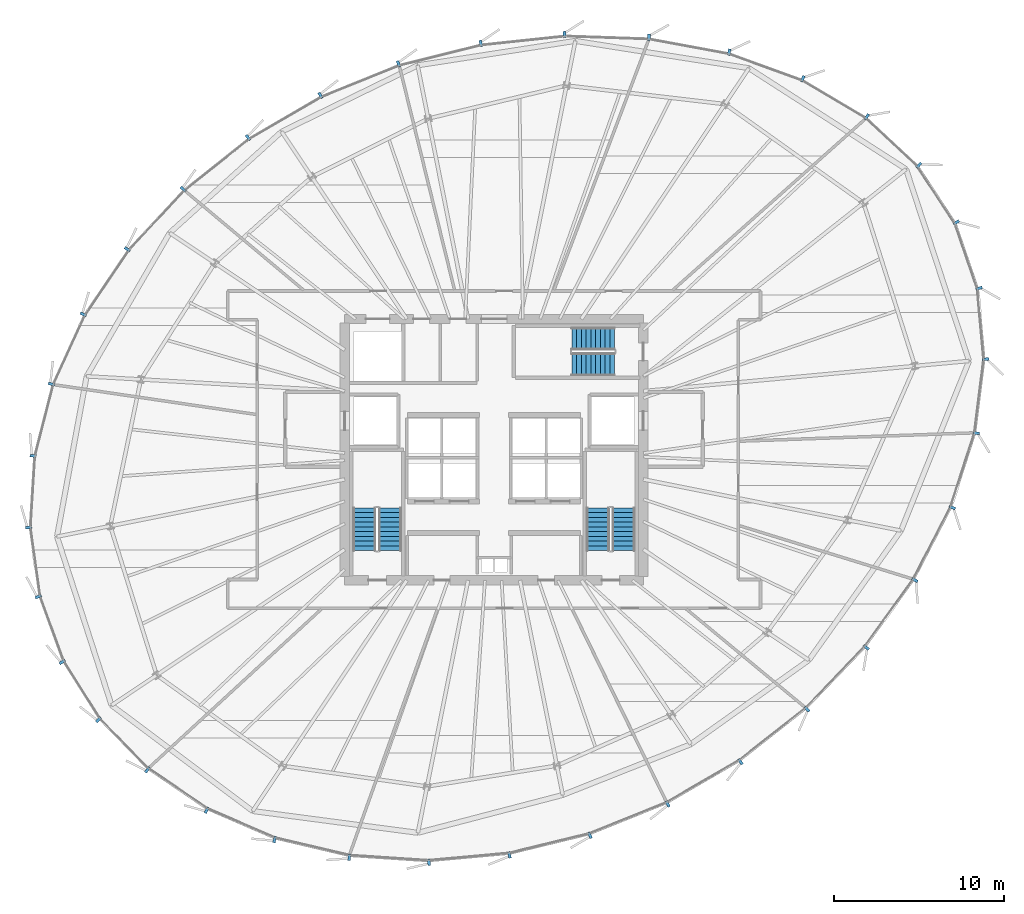
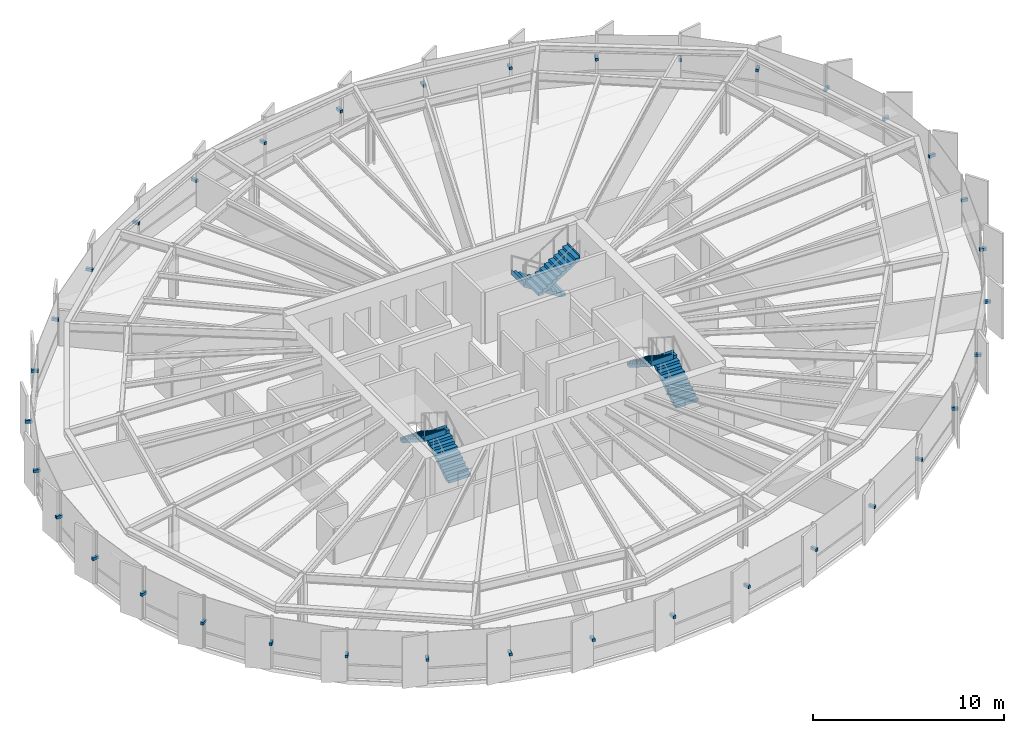
# One storey, part 31 of 35: 36 discrete accessories, 6 stair flights, 3 elements without a shape of their own.
"""IFC4 building model written with IfcOpenShell, lengths in metres."""

from ifc_helpers import new_model, si_unit, direction, frame, origin, origin_2d, place, context, subcontext, project, spatial, polyline, rectangle, outline, extrude, source, transform, mapped, material, type_object, element, aggregate, save


model = new_model("IFC4")

# Units and contexts
model_context = context("Model", 3, precision=1e-05, world=origin(), true_north=direction((0.0, 1.0)))
body_context = subcontext(model_context, "Body", "Model", "MODEL_VIEW")
ifc_project = project(units=[si_unit("LENGTHUNIT", "METRE"), si_unit("AREAUNIT", "SQUARE_METRE"), si_unit("VOLUMEUNIT", "CUBIC_METRE"), si_unit("PLANEANGLEUNIT", "RADIAN"), si_unit("MASSUNIT", "GRAM", prefix="KILO"), si_unit("THERMODYNAMICTEMPERATUREUNIT", "KELVIN")], contexts=[model_context])

# Site, building, storey
site_placement = place(None, origin())
site = spatial("IfcSite", under=ifc_project, at=site_placement, CompositionType="ELEMENT")
building_placement = place(site_placement, origin())
building = spatial("IfcBuilding", under=site, at=building_placement, Name="Kethvar Cultural Tower", CompositionType="ELEMENT")
storey_placement = place(building_placement, frame((0.0, 0.0, 139.449951171875)))
storey = spatial("IfcBuildingStorey", under=building, at=storey_placement, Name="L35", CompositionType="ELEMENT", Elevation=139.449951171875)

# Stair, stair flights
ifc_material_1 = material(Name="Concrete C40/50", Category="concrete")
stair_type = type_object("IfcStairType", Name="ST-DOGLEG-135", PredefinedType="HALF_TURN_STAIR", material=ifc_material_1)
stair_1_placement = place(storey_placement, origin())
stair_1 = element("IfcStair", 1, at=stair_1_placement, inside=storey, type_object=stair_type, Name="L35 Core Exit Stair 1", PredefinedType="HALF_TURN_STAIR")
stair_flight_type = type_object("IfcStairFlightType", Name="FL-STRAIGHT-135", PredefinedType="STRAIGHT", material=ifc_material_1)
stair_flight_1_placement = place(storey_placement, frame((40.675048828125, 21.85009765625, 0.0), z_axis=(0.0, 0.0, 1.0), x_axis=(0.0, 1.0, 0.0)))
stair_flight_1 = element("IfcStairFlight", 2, at=stair_flight_1_placement, type_object=stair_flight_type, Name="ST-01 flight 1", NumberOfRisers=10, NumberOfTreads=9, PredefinedType="STRAIGHT", RiserHeight=0.1775, TreadLength=0.28, context=body_context, shape_type="SweptSolid", body=[
    extrude(outline(polyline([(-0.0009765625, -0.0009765625), (-0.0009765625, 0.177490234375), (0.280029296875, 0.177490234375), (0.280029296875, 0.35498046875), (0.56005859375, 0.35498046875), (0.56005859375, 0.532470703125), (0.840087890625, 0.532470703125), (0.840087890625, 0.7099609375), (1.1201171875, 0.7099609375), (1.1201171875, 0.887451171875), (1.39990234375, 0.887451171875), (1.39990234375, 1.06494140625), (1.679931640625, 1.06494140625), (1.679931640625, 1.242431640625), (1.9599609375, 1.242431640625), (1.9599609375, 1.419921875), (2.239990234375, 1.419921875), (2.239990234375, 1.597412109375), (2.52001953125, 1.597412109375), (2.52001953125, 1.77490234375), (2.52099609375, 1.77490234375), (2.52099609375, 1.419921875), (0.280029296875, 0.0), (0.0, -0.0009765625), (-0.0009765625, -0.0009765625)])), frame((0.0, 0.675048828125, 0.0), z_axis=(0.0, -1.0, 0.0), x_axis=(1.0, 0.0, 0.0)), (0.0, 0.0, 1.0), 1.35009765625),
])
stair_flight_2_placement = place(storey_placement, frame((39.1650390625, 24.3701171875, 1.775146484375), z_axis=(0.0, 0.0, 1.0), x_axis=(0.0, -1.0, 0.0)))
stair_flight_2 = element("IfcStairFlight", 3, at=stair_flight_2_placement, type_object=stair_flight_type, Name="ST-01 flight 2", NumberOfRisers=10, NumberOfTreads=9, PredefinedType="STRAIGHT", RiserHeight=0.1775, TreadLength=0.28, context=body_context, shape_type="SweptSolid", body=[
    extrude(outline(polyline([(-0.0009765625, -0.0009765625), (-0.0009765625, 0.177490234375), (0.280029296875, 0.177490234375), (0.280029296875, 0.35498046875), (0.56005859375, 0.35498046875), (0.56005859375, 0.532470703125), (0.840087890625, 0.532470703125), (0.840087890625, 0.7099609375), (1.1201171875, 0.7099609375), (1.1201171875, 0.887451171875), (1.39990234375, 0.887451171875), (1.39990234375, 1.06494140625), (1.679931640625, 1.06494140625), (1.679931640625, 1.242431640625), (1.9599609375, 1.242431640625), (1.9599609375, 1.419921875), (2.239990234375, 1.419921875), (2.239990234375, 1.597412109375), (2.52001953125, 1.597412109375), (2.52001953125, 1.77490234375), (2.52099609375, 1.77490234375), (2.52099609375, 1.419921875), (0.280029296875, 0.0), (0.0, -0.0009765625), (-0.0009765625, -0.0009765625)])), frame((0.0, 0.675048828125, 0.0), z_axis=(0.0, -1.0, 0.0), x_axis=(1.0, 0.0, 0.0)), (0.0, 0.0, 1.0), 1.35009765625),
])
aggregate(stair_1, [stair_flight_1, stair_flight_2])

stair_2_placement = place(storey_placement, origin())
stair_2 = element("IfcStair", 4, at=stair_2_placement, inside=storey, type_object=stair_type, Name="L35 Core Exit Stair 2", PredefinedType="HALF_TURN_STAIR")
stair_flight_3_placement = place(storey_placement, frame((54.43505859375, 21.85009765625, 0.0), z_axis=(0.0, 0.0, 1.0), x_axis=(0.0, 1.0, 0.0)))
stair_flight_3 = element("IfcStairFlight", 5, at=stair_flight_3_placement, type_object=stair_flight_type, Name="ST-02 flight 1", NumberOfRisers=10, NumberOfTreads=9, PredefinedType="STRAIGHT", RiserHeight=0.1775, TreadLength=0.28, context=body_context, shape_type="SweptSolid", body=[
    extrude(outline(polyline([(-0.0009765625, -0.0009765625), (-0.0009765625, 0.177490234375), (0.280029296875, 0.177490234375), (0.280029296875, 0.35498046875), (0.56005859375, 0.35498046875), (0.56005859375, 0.532470703125), (0.840087890625, 0.532470703125), (0.840087890625, 0.7099609375), (1.1201171875, 0.7099609375), (1.1201171875, 0.887451171875), (1.39990234375, 0.887451171875), (1.39990234375, 1.06494140625), (1.679931640625, 1.06494140625), (1.679931640625, 1.242431640625), (1.9599609375, 1.242431640625), (1.9599609375, 1.419921875), (2.239990234375, 1.419921875), (2.239990234375, 1.597412109375), (2.52001953125, 1.597412109375), (2.52001953125, 1.77490234375), (2.52099609375, 1.77490234375), (2.52099609375, 1.419921875), (0.280029296875, 0.0), (0.0, -0.0009765625), (-0.0009765625, -0.0009765625)])), frame((0.0, 0.675048828125, 0.0), z_axis=(0.0, -1.0, 0.0), x_axis=(1.0, 0.0, 0.0)), (0.0, 0.0, 1.0), 1.35009765625),
])
stair_flight_4_placement = place(storey_placement, frame((52.925048828125, 24.3701171875, 1.775146484375), z_axis=(0.0, 0.0, 1.0), x_axis=(0.0, -1.0, 0.0)))
stair_flight_4 = element("IfcStairFlight", 6, at=stair_flight_4_placement, type_object=stair_flight_type, Name="ST-02 flight 2", NumberOfRisers=10, NumberOfTreads=9, PredefinedType="STRAIGHT", RiserHeight=0.1775, TreadLength=0.28, context=body_context, shape_type="SweptSolid", body=[
    extrude(outline(polyline([(-0.0009765625, -0.0009765625), (-0.0009765625, 0.177490234375), (0.280029296875, 0.177490234375), (0.280029296875, 0.35498046875), (0.56005859375, 0.35498046875), (0.56005859375, 0.532470703125), (0.840087890625, 0.532470703125), (0.840087890625, 0.7099609375), (1.1201171875, 0.7099609375), (1.1201171875, 0.887451171875), (1.39990234375, 0.887451171875), (1.39990234375, 1.06494140625), (1.679931640625, 1.06494140625), (1.679931640625, 1.242431640625), (1.9599609375, 1.242431640625), (1.9599609375, 1.419921875), (2.239990234375, 1.419921875), (2.239990234375, 1.597412109375), (2.52001953125, 1.597412109375), (2.52001953125, 1.77490234375), (2.52099609375, 1.77490234375), (2.52099609375, 1.419921875), (0.280029296875, 0.0), (0.0, -0.0009765625), (-0.0009765625, -0.0009765625)])), frame((0.0, 0.675048828125, 0.0), z_axis=(0.0, -1.0, 0.0), x_axis=(1.0, 0.0, 0.0)), (0.0, 0.0, 1.0), 1.35009765625),
])
aggregate(stair_2, [stair_flight_3, stair_flight_4])

stair_3_placement = place(storey_placement, origin())
stair_3 = element("IfcStair", 7, at=stair_3_placement, inside=storey, type_object=stair_type, Name="L35 Core Exit Stair 3", PredefinedType="HALF_TURN_STAIR")
stair_flight_5_placement = place(storey_placement, frame((53.89990234375, 34.3349609375, 0.0), z_axis=(0.0, 0.0, 1.0), x_axis=(-1.0, 0.0, 0.0)))
stair_flight_5 = element("IfcStairFlight", 8, at=stair_flight_5_placement, type_object=stair_flight_type, Name="ST-03 flight 1", NumberOfRisers=10, NumberOfTreads=9, PredefinedType="STRAIGHT", RiserHeight=0.1775, TreadLength=0.28, context=body_context, shape_type="SweptSolid", body=[
    extrude(outline(polyline([(-0.0009765625, -0.0009765625), (-0.0009765625, 0.177490234375), (0.280029296875, 0.177490234375), (0.280029296875, 0.35498046875), (0.56005859375, 0.35498046875), (0.56005859375, 0.532470703125), (0.840087890625, 0.532470703125), (0.840087890625, 0.7099609375), (1.1201171875, 0.7099609375), (1.1201171875, 0.887451171875), (1.39990234375, 0.887451171875), (1.39990234375, 1.06494140625), (1.679931640625, 1.06494140625), (1.679931640625, 1.242431640625), (1.9599609375, 1.242431640625), (1.9599609375, 1.419921875), (2.239990234375, 1.419921875), (2.239990234375, 1.597412109375), (2.52001953125, 1.597412109375), (2.52001953125, 1.77490234375), (2.52099609375, 1.77490234375), (2.52099609375, 1.419921875), (0.280029296875, 0.0), (0.0, -0.0009765625), (-0.0009765625, -0.0009765625)])), frame((0.0, 0.675048828125, 0.0), z_axis=(0.0, -1.0, 0.0), x_axis=(1.0, 0.0, 0.0)), (0.0, 0.0, 1.0), 1.35009765625),
])
stair_flight_6_placement = place(storey_placement, frame((51.3798828125, 32.824951171875, 1.775146484375), z_axis=(0.0, 0.0, 1.0), x_axis=(1.0, 0.0, 0.0)))
stair_flight_6 = element("IfcStairFlight", 9, at=stair_flight_6_placement, type_object=stair_flight_type, Name="ST-03 flight 2", NumberOfRisers=10, NumberOfTreads=9, PredefinedType="STRAIGHT", RiserHeight=0.1775, TreadLength=0.28, context=body_context, shape_type="SweptSolid", body=[
    extrude(outline(polyline([(-0.0009765625, -0.0009765625), (-0.0009765625, 0.177490234375), (0.280029296875, 0.177490234375), (0.280029296875, 0.35498046875), (0.56005859375, 0.35498046875), (0.56005859375, 0.532470703125), (0.840087890625, 0.532470703125), (0.840087890625, 0.7099609375), (1.1201171875, 0.7099609375), (1.1201171875, 0.887451171875), (1.39990234375, 0.887451171875), (1.39990234375, 1.06494140625), (1.679931640625, 1.06494140625), (1.679931640625, 1.242431640625), (1.9599609375, 1.242431640625), (1.9599609375, 1.419921875), (2.239990234375, 1.419921875), (2.239990234375, 1.597412109375), (2.52001953125, 1.597412109375), (2.52001953125, 1.77490234375), (2.52099609375, 1.77490234375), (2.52099609375, 1.419921875), (0.280029296875, 0.0), (0.0, -0.0009765625), (-0.0009765625, -0.0009765625)])), frame((0.0, 0.675048828125, 0.0), z_axis=(0.0, -1.0, 0.0), x_axis=(1.0, 0.0, 0.0)), (0.0, 0.0, 1.0), 1.35009765625),
])
aggregate(stair_3, [stair_flight_5, stair_flight_6])

# Discrete accessories
ifc_material_2 = material(Name="Steel S355J2", Category="steel")
discrete_accessory_type = type_object("IfcDiscreteAccessoryType", Name="Steel Fin Bracket BRK-01", PredefinedType="BRACKET", material=ifc_material_2)
shared_shape = source(origin(), body_context, "Body", "SweptSolid", [
    extrude(rectangle(XDim=0.3798828125, YDim=0.159912109375, at=origin_2d()), origin(), (0.0, 0.0, 1.0), 0.179931640625),
])
for number, where, z_axis, x_axis, name in (
    (10, (74.039306640625, 41.188720703125, 1.56005859375), (0.0, 0.0, 1.0), (0.836381838331, 0.548147261701, 0.0), "L35 Terracotta Fin Bracket 1.1"),
    (11, (71.82958984375, 44.559326171875, 1.56005859375), (0.0, 0.0, 1.0), (0.682381202461, 0.730996507877, 0.0), "L35 Terracotta Fin Bracket 1.2"),
    (12, (68.766845703125, 47.41796875, 1.56005859375), (0.0, 0.0, 1.0), (0.510242741749, 0.860030432306, 0.0), "L35 Terracotta Fin Bracket 1.3"),
    (13, (64.990966796875, 49.65771484375, 1.56005859375), (0.0, 0.0, 1.0), (0.340543656265, 0.940228705251, 0.0), "L35 Terracotta Fin Bracket 1.4"),
    (14, (60.6533203125, 51.22900390625, 1.56005859375), (0.0, 0.0, 1.0), (0.182063912362, 0.983286698687, 0.0), "L35 Terracotta Fin Bracket 1.5"),
    (15, (55.9267578125, 52.103759765625, 1.56005859375), (0.0, 0.0, 1.0), (0.034376212129, 0.999408963358, 0.0), "L35 Terracotta Fin Bracket 1.6"),
    (16, (50.9521484375, 52.269287109375, 1.56005859375), (0.0, 0.0, 1.0), (-0.105743422663, 0.994393447567, 0.0), "L35 Terracotta Fin Bracket 2.1"),
    (17, (46.020263671875, 51.7451171875, 1.56005859375), (0.0, 0.0, 1.0), (-0.241752543364, 0.970337934833, 0.0), "L35 Terracotta Fin Bracket 2.2"),
    (18, (41.171142578125, 50.537109375, 1.56005859375), (0.0, 0.0, 1.0), (-0.374930218808, 0.927053035713, 0.0), "L35 Terracotta Fin Bracket 2.3"),
    (19, (36.571533203125, 48.677001953125, 1.56005859375), (0.0, 0.0, 1.0), (-0.50301994663, 0.864274801954, 0.0), "L35 Terracotta Fin Bracket 2.4"),
    (20, (32.305419921875, 46.193603515625, 1.56005859375), (0.0, 0.0, 1.0), (-0.622378036266, 0.782716794233, 0.0), "L35 Terracotta Fin Bracket 2.5"),
    (21, (28.4794921875, 43.1513671875, 1.56005859375), (0.0, 0.0, 1.0), (-0.731591719395, 0.681743027916, 0.0), "L35 Terracotta Fin Bracket 2.6"),
    (22, (25.188232421875, 39.6103515625, 1.56005859375), (0.0, 0.0, 1.0), (-0.828646980263, 0.559771544562, 0.0), "L35 Terracotta Fin Bracket 3.1"),
    (23, (22.5966796875, 35.774169921875, 1.56005859375), (0.0, 0.0, 1.0), (-0.909526506266, 0.415645924316, 0.0), "L35 Terracotta Fin Bracket 3.2"),
    (24, (20.71826171875, 31.6630859375, 1.56005859375), (0.0, 0.0, 1.0), (-0.968583161129, 0.248689887165, 0.0), "L35 Terracotta Fin Bracket 3.3"),
    (25, (19.632568359375, 27.434814453125, 1.56005859375), (0.0, 0.0, 1.0), (-0.998102696661, 0.061571153301, 0.0), "L35 Terracotta Fin Bracket 3.4"),
    (26, (19.37255859375, 23.21728515625, 1.56005859375), (0.0, 0.0, 1.0), (-0.990268068742, -0.13917310096, 0.0), "L35 Terracotta Fin Bracket 3.5"),
    (27, (19.94580078125, 19.138916015625, 1.56005859375), (0.0, 0.0, 1.0), (-0.939632912698, -0.342184145417, 0.0), "L35 Terracotta Fin Bracket 3.6"),
    (28, (21.356201171875, 15.290771484375, 1.56005859375), (0.0, 0.0, 1.0), (-0.846286157694, -0.532728579387, 0.0), "L35 Terracotta Fin Bracket 4.1"),
    (29, (23.498779296875, 11.8876953125, 1.56005859375), (0.0, 0.0, 1.0), (-0.71691060765, -0.697165102855, 0.0), "L35 Terracotta Fin Bracket 4.2"),
    (30, (26.369873046875, 8.935546875, 1.56005859375), (0.0, 0.0, 1.0), (-0.563093427655, -0.826393242792, 0.0), "L35 Terracotta Fin Bracket 4.3"),
    (31, (29.86181640625, 6.556640625, 1.56005859375), (0.0, 0.0, 1.0), (-0.397147890635, -0.917754625684, 0.0), "L35 Terracotta Fin Bracket 4.4"),
    (32, (33.868408203125, 4.822998046875, 1.56005859375), (0.0, 0.0, 1.0), (-0.229030500703, -0.97341924665, 0.0), "L35 Terracotta Fin Bracket 4.5"),
    (33, (38.267822265625, 3.787841796875, 1.56005859375), (0.0, 0.0, 1.0), (-0.06557728747, -0.997847493041, 0.0), "L35 Terracotta Fin Bracket 4.6"),
    (34, (42.965087890625, 3.485595703125, 1.56005859375), (0.0, 0.0, 1.0), (0.090284945449, -0.995915974681, 0.0), "L35 Terracotta Fin Bracket 5.1"),
    (35, (47.702392578125, 3.915283203125, 1.56005859375), (0.0, 0.0, 1.0), (0.237007709767, -0.971507769146, 0.0), "L35 Terracotta Fin Bracket 5.2"),
    (36, (52.451416015625, 5.07373046875, 1.56005859375), (0.0, 0.0, 1.0), (0.374606593416, -0.927183854567, 0.0), "L35 Terracotta Fin Bracket 5.3"),
    (37, (57.0283203125, 6.923095703125, 1.56005859375), (0.0, 0.0, 1.0), (0.502718227172, -0.864450336381, 0.0), "L35 Terracotta Fin Bracket 5.4"),
    (38, (61.317138671875, 9.41748046875, 1.56005859375), (0.0, 0.0, 1.0), (0.61854554384, -0.78574894858, 0.0), "L35 Terracotta Fin Bracket 5.5"),
    (39, (65.243408203125, 12.508544921875, 1.56005859375), (0.0, 0.0, 1.0), (0.72091407724, -0.693024453563, 0.0), "L35 Terracotta Fin Bracket 5.6"),
    (40, (68.72998046875, 16.144287109375, 1.56005859375), (0.0, 0.0, 1.0), (0.810757424702, -0.585382266806, 0.0), "L35 Terracotta Fin Bracket 6.1"),
    (41, (71.598388671875, 20.116943359375, 1.56005859375), (0.0, 0.0, 1.0), (0.888537169673, -0.458804640463, 0.0), "L35 Terracotta Fin Bracket 6.2"),
    (42, (73.803955078125, 24.38818359375, 1.56005859375), (0.0, 0.0, 1.0), (0.951648033235, -0.307190528564, 0.0), "L35 Terracotta Fin Bracket 6.3"),
    (43, (75.220703125, 28.77880859375, 1.56005859375), (0.0, 0.0, 1.0), (0.992288732375, -0.123947858395, 0.0), "L35 Terracotta Fin Bracket 6.4"),
    (44, (75.764892578125, 33.135498046875, 1.56005859375), (0.0, 0.0, 1.0), (0.995836806996, 0.091154011602, 0.0), "L35 Terracotta Fin Bracket 6.5"),
    (45, (75.3828125, 37.307861328125, 1.56005859375), (0.0, 0.0, 1.0), (0.945745634613, 0.32490797868, 0.0), "L35 Terracotta Fin Bracket 6.6"),
):
    element("IfcDiscreteAccessory", number, at=place(storey_placement, frame(where, z_axis=z_axis, x_axis=x_axis)), inside=storey, type_object=discrete_accessory_type, Name=name, PredefinedType="BRACKET", context=body_context, shape_type="MappedRepresentation", body=[
        mapped(shared_shape, transform((0.0, 0.0, 0.0), scale=1.0)),
    ])

save(model, "model.ifc")
